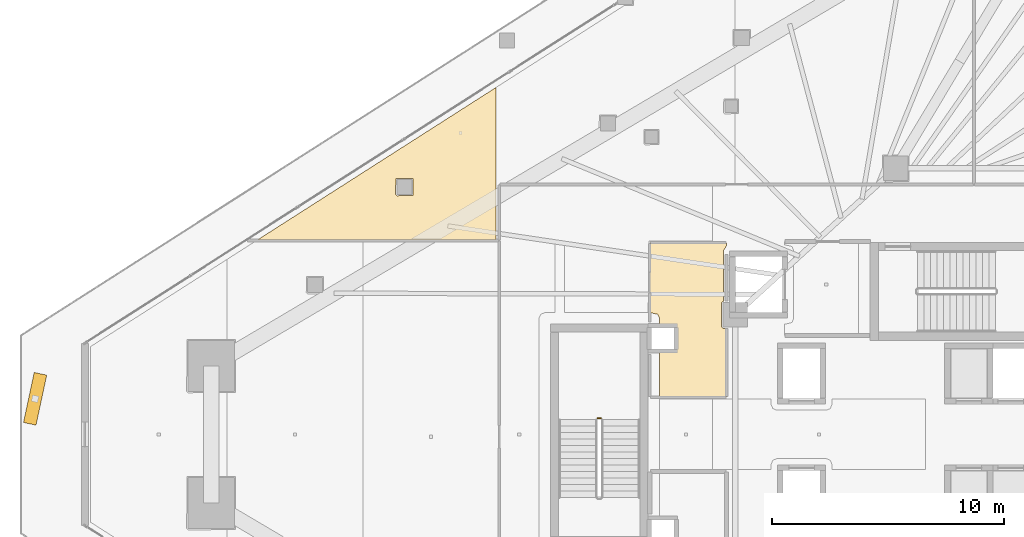
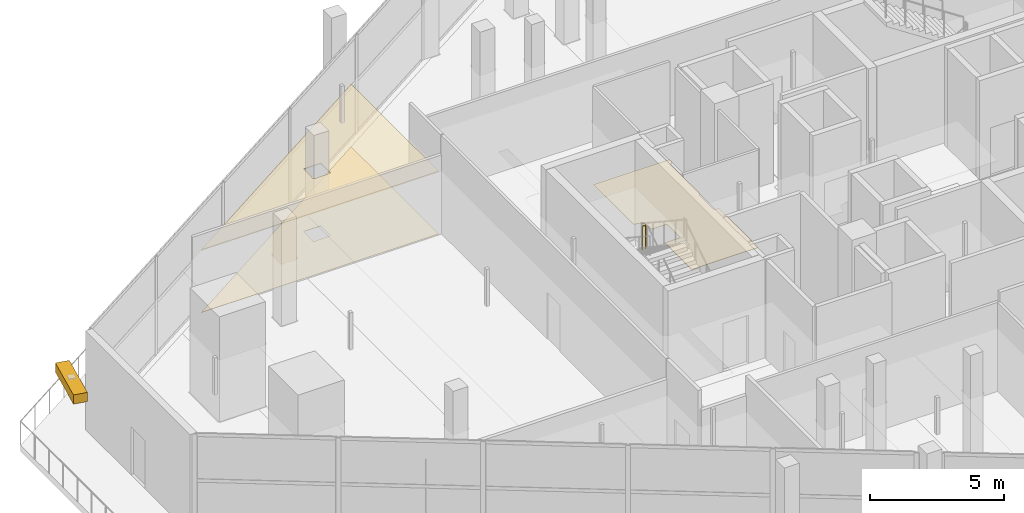
# One storey, part 39 of 42: 3 coverings, 1 railing, 1 shading device.
"""IFC4 building model written with IfcOpenShell, lengths in metres."""

from ifc_helpers import new_model, si_unit, direction, frame, origin, origin_2d, place, context, subcontext, project, spatial, polyline, rectangle, circle, outline, extrude, material, layer, layer_set, type_object, element, save


model = new_model("IFC4")

# Units and contexts
model_context = context("Model", 3, precision=1e-05, world=origin(), true_north=direction((0.0, 1.0)))
body_context = subcontext(model_context, "Body", "Model", "MODEL_VIEW")
ifc_project = project(units=[si_unit("LENGTHUNIT", "METRE"), si_unit("AREAUNIT", "SQUARE_METRE"), si_unit("VOLUMEUNIT", "CUBIC_METRE"), si_unit("PLANEANGLEUNIT", "RADIAN"), si_unit("MASSUNIT", "GRAM", prefix="KILO")], contexts=[model_context])

# Site, building, storey
site_placement = place(None, origin())
site = spatial("IfcSite", under=ifc_project, at=site_placement, CompositionType="ELEMENT")
building_placement = place(site_placement, origin())
building = spatial("IfcBuilding", under=site, at=building_placement, Name="Qorvath Tower", CompositionType="ELEMENT")
storey_placement = place(building_placement, frame((0.0, 0.0, 105.0)))
storey = spatial("IfcBuildingStorey", under=building, at=storey_placement, Name="L23", CompositionType="ELEMENT", Elevation=105.0)

# Coverings
ifc_material_1 = material(Name="Acoustic mineral fibre ceiling tile", Category="gypsum")
ifc_layer_1 = layer(ifc_material_1, 0.030029296875)
ifc_layer_set_1 = layer_set([ifc_layer_1], Name="COV-CEIL")
covering_type_1 = type_object("IfcCoveringType", Name="COV-CEIL", PredefinedType="CEILING", material=ifc_layer_set_1)
covering_1_placement = place(storey_placement, frame((0.0, 0.0, 2.85009765625)))
element("IfcCovering", 1, at=covering_1_placement, inside=storey, type_object=covering_type_1, Name="L23 Suspended Acoustic Ceiling 008", PredefinedType="CEILING", context=body_context, shape_type="SweptSolid", body=[
    extrude(outline(polyline([(-40.80029296875, 8.35498046875), (-40.80029296875, 14.926025390625), (-51.081298828125, 8.35498046875), (-40.80029296875, 8.35498046875)]), holes=[polyline([(-45.121337890625, 10.327392578125), (-45.103759765625, 11.019775390625), (-44.368896484375, 11.019775390625), (-44.368896484375, 10.284912109375), (-45.061279296875, 10.267333984375), (-45.121337890625, 10.327392578125)])]), origin(), (0.0, 0.0, 1.0), 0.030029296875),
])
ifc_material_2 = material(Name="Low-VOC modular carpet tile", Category="textile")
ifc_layer_2 = layer(ifc_material_2, 0.014892578125)
ifc_layer_set_2 = layer_set([ifc_layer_2], Name="COV-FLOOR-CPT")
covering_type_2 = type_object("IfcCoveringType", Name="COV-FLOOR-CPT", PredefinedType="FLOORING", material=ifc_layer_set_2)
covering_2_placement = place(storey_placement, origin())
element("IfcCovering", 2, at=covering_2_placement, inside=storey, type_object=covering_type_2, Name="L23 Floor Finish 008", PredefinedType="FLOORING", context=body_context, shape_type="SweptSolid", body=[
    extrude(outline(polyline([(-40.80029296875, 8.35498046875), (-40.80029296875, 14.926025390625), (-51.081298828125, 8.35498046875), (-40.80029296875, 8.35498046875)]), holes=[polyline([(-45.121337890625, 10.327392578125), (-45.103759765625, 11.019775390625), (-44.368896484375, 11.019775390625), (-44.368896484375, 10.284912109375), (-45.061279296875, 10.267333984375), (-45.121337890625, 10.327392578125)])]), origin(), (0.0, 0.0, 1.0), 0.014892578125),
])
ifc_material_3 = material(Name="Polished epoxy terrazzo flooring", Category="concrete")
ifc_layer_3 = layer(ifc_material_3, 0.02001953125)
ifc_layer_set_3 = layer_set([ifc_layer_3], Name="COV-FLOOR-TRZ")
covering_type_3 = type_object("IfcCoveringType", Name="COV-FLOOR-TRZ", PredefinedType="FLOORING", material=ifc_layer_set_3)
covering_3_placement = place(storey_placement, origin())
element("IfcCovering", 3, at=covering_3_placement, inside=storey, type_object=covering_type_3, Name="L23 Floor Finish 003", PredefinedType="FLOORING", context=body_context, shape_type="SweptSolid", body=[
    extrude(outline(polyline([(-30.885009765625, 8.2451171875), (-34.175048828125, 8.2451171875), (-34.175048828125, 5.239990234375), (-33.833251953125, 5.166748046875), (-33.760009765625, 4.989990234375), (-33.760009765625, 4.633056640625), (-33.0869140625, 4.6279296875), (-33.08837890625, 3.638427734375), (-33.760009765625, 3.636962890625), (-33.760009765625, 1.60498046875), (-30.885009765625, 1.60498046875), (-30.885009765625, 4.56494140625), (-31.02490234375, 4.56494140625), (-31.0849609375, 4.625), (-31.0849609375, 5.675048828125), (-31.010009765625, 5.735107421875), (-31.010009765625, 7.909912109375), (-30.885009765625, 8.108154296875), (-30.885009765625, 8.2451171875)])), origin(), (0.0, 0.0, 1.0), 0.014892578125),
])

# Railing
ifc_material_4 = material(Name="Painted galvanised steel", Category="steel")
railing_type = type_object("IfcRailingType", Name="RL-STR-GRD", PredefinedType="GUARDRAIL", material=ifc_material_4)
railing_placement = place(storey_placement, frame((-36.280029296875, 0.68994140625, 2.39990234375)))
element("IfcRailing", 4, at=railing_placement, inside=storey, type_object=railing_type, Name="L23 TS3 stair guard 2", PredefinedType="GUARDRAIL", context=body_context, shape_type="SweptSolid", body=[
    extrude(circle(Radius=0.02392578125, at=origin_2d()), frame((0.0, 0.0, 1.076171875), z_axis=(-1.0, 0.0, 0.0), x_axis=(0.0, -1.0, 0.0)), (0.0, 0.0, 1.0), 0.14990234375),
    extrude(circle(Radius=0.02099609375, at=origin_2d()), origin(), (0.0, 0.0, 1.0), 1.052001953125),
    extrude(circle(Radius=0.02099609375, at=origin_2d()), frame((-0.14990234375, 0.0, 0.0)), (0.0, 0.0, 1.0), 1.052001953125),
])

# Shading device
ifc_material_5 = material(Name="Anodised bronze-champagne aluminium", Category="aluminium")
shading_device_type = type_object("IfcShadingDeviceType", Name="SD-LOUVRE", PredefinedType="JALOUSIE", material=ifc_material_5)
shading_device_placement = place(storey_placement, frame((-60.629150390625, 1.53173828125, 4.10009765625), z_axis=(0.0, 0.0, 1.0), x_axis=(-0.208978560421, -0.977920222352, 0.0)))
element("IfcShadingDevice", 5, at=shading_device_placement, inside=storey, type_object=shading_device_type, Name="Sinusoidal Wave Louvre Blade L23-01", PredefinedType="NOTDEFINED", context=body_context, shape_type="SweptSolid", body=[
    extrude(rectangle(XDim=2.199951171875, YDim=0.550048828125, at=origin_2d()), origin(), (0.0, 0.0, 1.0), 0.419921875),
])

save(model, "model.ifc")
